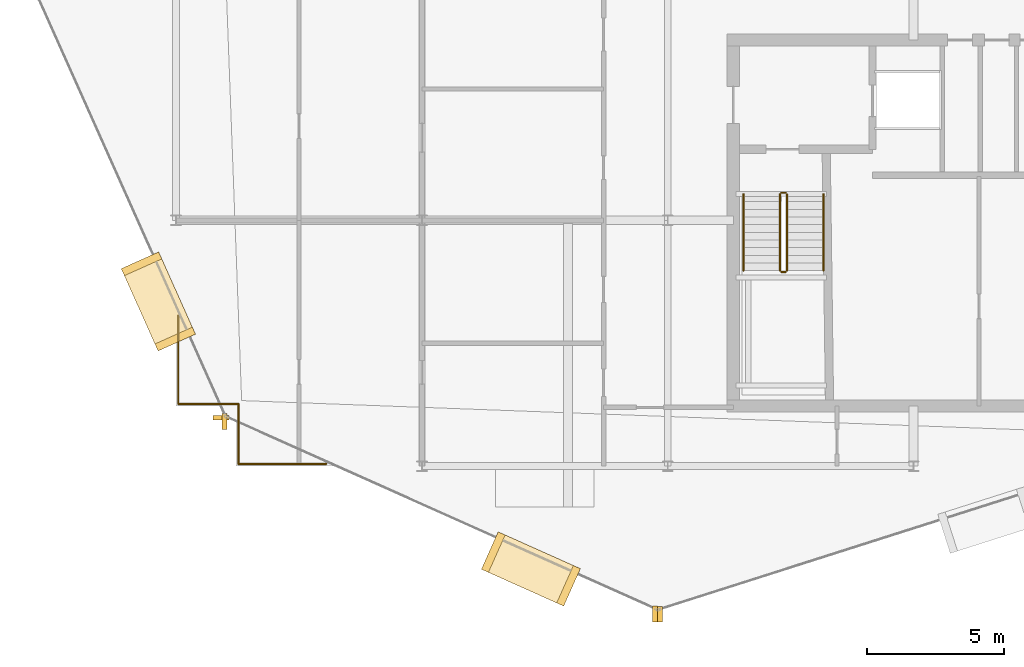
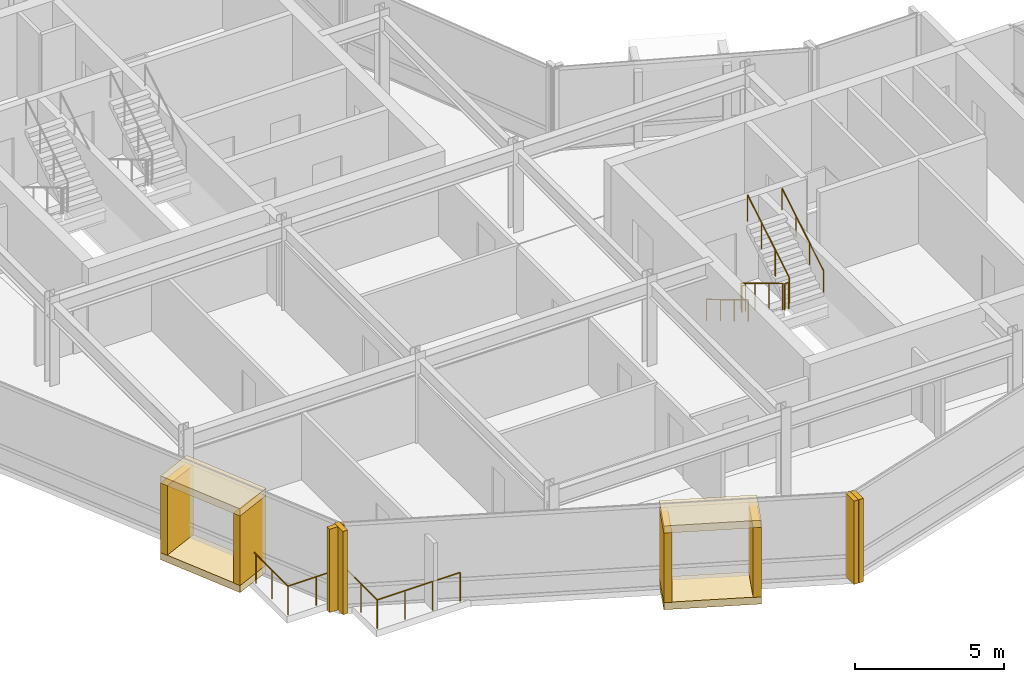
# One storey, part 16 of 19: 12 coverings, 10 railings.
"""IFC4 building model written with IfcOpenShell, lengths in metres."""

from ifc_helpers import new_model, si_unit, direction, frame, origin, origin_2d, place, context, subcontext, project, spatial, rectangle, circle, extrude, material, layer, layer_set, type_object, element, save


model = new_model("IFC4")

# Units and contexts
model_context = context("Model", 3, precision=1e-05, world=origin(), true_north=direction((0.0, 1.0)))
body_context = subcontext(model_context, "Body", "Model", "MODEL_VIEW")
ifc_project = project(units=[si_unit("LENGTHUNIT", "METRE"), si_unit("AREAUNIT", "SQUARE_METRE"), si_unit("VOLUMEUNIT", "CUBIC_METRE"), si_unit("PLANEANGLEUNIT", "RADIAN"), si_unit("MASSUNIT", "GRAM", prefix="KILO")], contexts=[model_context])

# Site, building, storey
site_placement = place(None, origin())
site = spatial("IfcSite", under=ifc_project, at=site_placement, CompositionType="ELEMENT")
building_placement = place(site_placement, origin())
building = spatial("IfcBuilding", under=site, at=building_placement, Name="Solvaryn Broadcast Tower", CompositionType="ELEMENT")
storey_placement = place(building_placement, frame((0.0, 0.0, 290.0)))
storey = spatial("IfcBuildingStorey", under=building, at=storey_placement, Name="L73", CompositionType="ELEMENT", Elevation=290.0)

# Coverings
ifc_material_1 = material(Name="Glazed Architectural Terracotta Rainscreen Cladding", Category="masonry")
ifc_layer_1 = layer(ifc_material_1, 0.280029296875)
ifc_layer_set_1 = layer_set([ifc_layer_1], Name="CV-TC-CLAD")
covering_type_1 = type_object("IfcCoveringType", Name="CV-TC-CLAD", PredefinedType="CLADDING", material=ifc_layer_set_1)
for number, where, z_axis, x_axis, name in (
    (1, (8.35107421875, 15.030029296875, 3.1298828125), (0.0, 0.0, 1.0), (0.408489773781, -0.91276289622, 0.0), "L73 Projecting Stone Window Box Hood 2"),
    (2, (8.35107421875, 15.030029296875, -0.01025390625), (0.0, 0.0, 1.0), (0.408489773781, -0.91276289622, 0.0), "L73 Projecting Stone Window Box Sill 2"),
):
    element("IfcCovering", number, at=place(storey_placement, frame(where, z_axis=z_axis, x_axis=x_axis)), inside=storey, type_object=covering_type_1, Name=name, PredefinedType="CLADDING", context=body_context, shape_type="SweptSolid", body=[
        extrude(rectangle(XDim=3.300048828125, YDim=1.5, at=origin_2d()), origin(), (0.0, 0.0, 1.0), 0.300048828125),
    ])
for number, where, z_axis, x_axis, name in (
    (3, (7.734130859375, 16.408203125, 0.27978515625), (0.0, 0.0, 1.0), (0.408489773781, -0.91276289622, 0.0), "L73 Projecting Stone Window Box Cheek 2-1"),
    (4, (8.9677734375, 13.651611328125, 0.27978515625), (0.0, 0.0, 1.0), (0.408489773781, -0.91276289622, 0.0), "L73 Projecting Stone Window Box Cheek 2-2"),
):
    element("IfcCovering", number, at=place(storey_placement, frame(where, z_axis=z_axis, x_axis=x_axis)), inside=storey, type_object=covering_type_1, Name=name, PredefinedType="CLADDING", context=body_context, shape_type="SweptSolid", body=[
        extrude(rectangle(XDim=0.280029296875, YDim=1.5, at=origin_2d()), origin(), (0.0, 0.0, 1.0), 2.860107421875),
    ])
for number, where, z_axis, x_axis, name in (
    (5, (21.989990234375, 5.236083984375, 3.1298828125), (0.0, 0.0, 1.0), (0.91276289622, -0.408489773781, 0.0), "L73 Projecting Stone Window Box Hood 3"),
    (6, (21.989990234375, 5.236083984375, -0.01025390625), (0.0, 0.0, 1.0), (0.91276289622, -0.408489773781, 0.0), "L73 Projecting Stone Window Box Sill 3"),
):
    element("IfcCovering", number, at=place(storey_placement, frame(where, z_axis=z_axis, x_axis=x_axis)), inside=storey, type_object=covering_type_1, Name=name, PredefinedType="CLADDING", context=body_context, shape_type="SweptSolid", body=[
        extrude(rectangle(XDim=3.300048828125, YDim=1.5, at=origin_2d()), origin(), (0.0, 0.0, 1.0), 0.300048828125),
    ])
for number, where, z_axis, x_axis, name in (
    (7, (20.61181640625, 5.852783203125, 0.27978515625), (0.0, 0.0, 1.0), (0.91276289622, -0.408489773781, 0.0), "L73 Projecting Stone Window Box Cheek 3-1"),
    (8, (23.368408203125, 4.619140625, 0.27978515625), (0.0, 0.0, 1.0), (0.91276289622, -0.408489773781, 0.0), "L73 Projecting Stone Window Box Cheek 3-2"),
):
    element("IfcCovering", number, at=place(storey_placement, frame(where, z_axis=z_axis, x_axis=x_axis)), inside=storey, type_object=covering_type_1, Name=name, PredefinedType="CLADDING", context=body_context, shape_type="SweptSolid", body=[
        extrude(rectangle(XDim=0.280029296875, YDim=1.5, at=origin_2d()), origin(), (0.0, 0.0, 1.0), 2.860107421875),
    ])
ifc_material_2 = material(Name="Extruded Architectural Terracotta Fin", Category="masonry")
ifc_layer_2 = layer(ifc_material_2, 0.179931640625)
ifc_layer_set_2 = layer_set([ifc_layer_2], Name="CV-TC-FIN")
covering_type_2 = type_object("IfcCoveringType", Name="CV-TC-FIN", PredefinedType="USERDEFINED", material=ifc_layer_set_2)
covering_placement = place(storey_placement, frame((10.640380859375, 10.77099609375, 0.0), z_axis=(0.0, 0.0, 1.0), x_axis=(1.0, 0.0, 0.0)))
element("IfcCovering", 9, at=covering_placement, inside=storey, type_object=covering_type_2, Name="L73 Terracotta Vertical Fin FIN-L73-DR2-M01", ObjectType="FIN", PredefinedType="USERDEFINED", context=body_context, shape_type="SweptSolid", body=[
    extrude(rectangle(XDim=0.580078125, YDim=0.179931640625, at=origin_2d()), origin(), (0.0, 0.0, 1.0), 3.419921875),
])
for number, where, z_axis, x_axis, name in (
    (10, (10.77099609375, 10.640380859375, 0.0), (0.0, 0.0, 1.0), (1.0, 0.0, 0.0), "L73 Terracotta Vertical Fin FIN-L73-DR3-M00"),
    (11, (26.53515625, 3.5859375, 0.0), (0.0, 0.0, 1.0), (1.0, 0.0, 0.0), "L73 Terracotta Vertical Fin FIN-L73-DR3-M01"),
    (12, (26.71923828125, 3.575439453125, 0.0), (0.0, 0.0, 1.0), (1.0, 0.0, 0.0), "L73 Terracotta Vertical Fin FIN-L73-DR4-M00"),
):
    element("IfcCovering", number, at=place(storey_placement, frame(where, z_axis=z_axis, x_axis=x_axis)), inside=storey, type_object=covering_type_2, Name=name, ObjectType="FIN", PredefinedType="USERDEFINED", context=body_context, shape_type="SweptSolid", body=[
        extrude(rectangle(XDim=0.179931640625, YDim=0.580078125, at=origin_2d()), origin(), (0.0, 0.0, 1.0), 3.419921875),
    ])

# Railings
ifc_material_3 = material(Name="Stainless Steel and Laminated Glass Guard", Category="steel")
railing_type_1 = type_object("IfcRailingType", Name="RL-SKYG-1200", PredefinedType="BALUSTRADE", material=ifc_material_3)
railing_1_placement = place(storey_placement, frame((9.080078125, 14.5, 0.0)))
element("IfcRailing", 13, at=railing_1_placement, inside=storey, type_object=railing_type_1, Name="L73 Upper SW Corner Balustrade 1", PredefinedType="BALUSTRADE", context=body_context, shape_type="SweptSolid", body=[
    extrude(circle(Radius=0.02392578125, at=origin_2d()), frame((0.0, 0.0, 1.17578125), z_axis=(0.0, -1.0, 0.0), x_axis=(1.0, 0.0, 0.0)), (0.0, 0.0, 1.0), 3.219970703125),
    extrude(circle(Radius=0.02099609375, at=origin_2d()), origin(), (0.0, 0.0, 1.0), 1.15185546875),
    extrude(circle(Radius=0.02099609375, at=origin_2d()), frame((0.0, -1.0732421875, 0.0)), (0.0, 0.0, 1.0), 1.15185546875),
    extrude(circle(Radius=0.02099609375, at=origin_2d()), frame((0.0, -2.146728515625, 0.0)), (0.0, 0.0, 1.0), 1.15185546875),
    extrude(circle(Radius=0.02099609375, at=origin_2d()), frame((0.0, -3.219970703125, 0.0)), (0.0, 0.0, 1.0), 1.15185546875),
])
railing_2_placement = place(storey_placement, frame((9.080078125, 11.280029296875, 0.0)))
element("IfcRailing", 14, at=railing_2_placement, inside=storey, type_object=railing_type_1, Name="L73 Upper SW Corner Balustrade 2", PredefinedType="BALUSTRADE", context=body_context, shape_type="SweptSolid", body=[
    extrude(circle(Radius=0.02392578125, at=origin_2d()), frame((0.0, 0.0, 1.17578125), z_axis=(1.0, 0.0, 0.0), x_axis=(0.0, 1.0, 0.0)), (0.0, 0.0, 1.0), 2.199951171875),
    extrude(circle(Radius=0.02099609375, at=origin_2d()), origin(), (0.0, 0.0, 1.0), 1.15185546875),
    extrude(circle(Radius=0.02099609375, at=origin_2d()), frame((1.10009765625, 0.0, 0.0)), (0.0, 0.0, 1.0), 1.15185546875),
    extrude(circle(Radius=0.02099609375, at=origin_2d()), frame((2.199951171875, 0.0, 0.0)), (0.0, 0.0, 1.0), 1.15185546875),
])
railing_3_placement = place(storey_placement, frame((11.280029296875, 11.280029296875, 0.0)))
element("IfcRailing", 15, at=railing_3_placement, inside=storey, type_object=railing_type_1, Name="L73 Upper SW Corner Balustrade 3", PredefinedType="BALUSTRADE", context=body_context, shape_type="SweptSolid", body=[
    extrude(circle(Radius=0.02392578125, at=origin_2d()), frame((0.0, 0.0, 1.17578125), z_axis=(0.0, -1.0, 0.0), x_axis=(1.0, 0.0, 0.0)), (0.0, 0.0, 1.0), 2.199951171875),
    extrude(circle(Radius=0.02099609375, at=origin_2d()), origin(), (0.0, 0.0, 1.0), 1.15185546875),
    extrude(circle(Radius=0.02099609375, at=origin_2d()), frame((0.0, -1.10009765625, 0.0)), (0.0, 0.0, 1.0), 1.15185546875),
    extrude(circle(Radius=0.02099609375, at=origin_2d()), frame((0.0, -2.199951171875, 0.0)), (0.0, 0.0, 1.0), 1.15185546875),
])
railing_4_placement = place(storey_placement, frame((11.280029296875, 9.080078125, 0.0)))
element("IfcRailing", 16, at=railing_4_placement, inside=storey, type_object=railing_type_1, Name="L73 Upper SW Corner Balustrade 4", PredefinedType="BALUSTRADE", context=body_context, shape_type="SweptSolid", body=[
    extrude(circle(Radius=0.02392578125, at=origin_2d()), frame((0.0, 0.0, 1.17578125), z_axis=(1.0, 0.0, 0.0), x_axis=(0.0, 1.0, 0.0)), (0.0, 0.0, 1.0), 3.219970703125),
    extrude(circle(Radius=0.02099609375, at=origin_2d()), origin(), (0.0, 0.0, 1.0), 1.15185546875),
    extrude(circle(Radius=0.02099609375, at=origin_2d()), frame((1.0732421875, 0.0, 0.0)), (0.0, 0.0, 1.0), 1.15185546875),
    extrude(circle(Radius=0.02099609375, at=origin_2d()), frame((2.146728515625, 0.0, 0.0)), (0.0, 0.0, 1.0), 1.15185546875),
    extrude(circle(Radius=0.02099609375, at=origin_2d()), frame((3.219970703125, 0.0, 0.0)), (0.0, 0.0, 1.0), 1.15185546875),
])
ifc_material_4 = material(Name="Painted Steel Stair Well Guard", Category="steel")
railing_type_2 = type_object("IfcRailingType", Name="RL-STAIR-GUARD", PredefinedType="BALUSTRADE", material=ifc_material_4)
railing_5_placement = place(storey_placement, frame((31.110107421875, 18.9599609375, 0.168212890625)))
element("IfcRailing", 17, at=railing_5_placement, inside=storey, type_object=railing_type_2, Name="L73 ST3 stair guard 1", PredefinedType="BALUSTRADE", context=body_context, shape_type="SweptSolid", body=[
    extrude(circle(Radius=0.02392578125, at=origin_2d()), frame((0.0, 0.0, 1.076171875), z_axis=(0.0, -0.857242210791, 0.514913383045), x_axis=(1.0, 0.0, 0.0)), (0.0, 0.0, 1.0), 3.266357421875),
    extrude(circle(Radius=0.02099609375, at=origin_2d()), origin(), (0.0, 0.0, 1.0), 1.052001953125),
    extrude(circle(Radius=0.02099609375, at=origin_2d()), frame((0.0, -0.933349609375, 0.560546875)), (0.0, 0.0, 1.0), 1.052001953125),
    extrude(circle(Radius=0.02099609375, at=origin_2d()), frame((0.0, -1.86669921875, 1.121337890625)), (0.0, 0.0, 1.0), 1.052001953125),
    extrude(circle(Radius=0.02099609375, at=origin_2d()), frame((0.0, -2.800048828125, 1.681884765625)), (0.0, 0.0, 1.0), 1.052001953125),
])
railing_6_placement = place(storey_placement, frame((31.159912109375, 16.110107421875, 1.85009765625)))
element("IfcRailing", 18, at=railing_6_placement, inside=storey, type_object=railing_type_2, Name="L73 ST3 stair guard 2", PredefinedType="BALUSTRADE", context=body_context, shape_type="SweptSolid", body=[
    extrude(circle(Radius=0.02392578125, at=origin_2d()), frame((0.0, 0.0, 1.076171875), z_axis=(1.0, 0.0, 0.0), x_axis=(0.0, 1.0, 0.0)), (0.0, 0.0, 1.0), 0.150146484375),
    extrude(circle(Radius=0.02099609375, at=origin_2d()), origin(), (0.0, 0.0, 1.0), 1.052001953125),
    extrude(circle(Radius=0.02099609375, at=origin_2d()), frame((0.150146484375, 0.0, 0.0)), (0.0, 0.0, 1.0), 1.052001953125),
])
railing_7_placement = place(storey_placement, frame((31.360107421875, 16.159912109375, 2.01806640625)))
element("IfcRailing", 19, at=railing_7_placement, inside=storey, type_object=railing_type_2, Name="L73 ST3 stair guard 3", PredefinedType="BALUSTRADE", context=body_context, shape_type="SweptSolid", body=[
    extrude(circle(Radius=0.02392578125, at=origin_2d()), frame((0.0, 0.0, 1.076171875), z_axis=(0.0, 0.857242210791, 0.514913383045), x_axis=(-1.0, 0.0, 0.0)), (0.0, 0.0, 1.0), 3.266357421875),
    extrude(circle(Radius=0.02099609375, at=origin_2d()), origin(), (0.0, 0.0, 1.0), 1.052001953125),
    extrude(circle(Radius=0.02099609375, at=origin_2d()), frame((0.0, 0.933349609375, 0.560546875)), (0.0, 0.0, 1.0), 1.052001953125),
    extrude(circle(Radius=0.02099609375, at=origin_2d()), frame((0.0, 1.86669921875, 1.121337890625)), (0.0, 0.0, 1.0), 1.052001953125),
    extrude(circle(Radius=0.02099609375, at=origin_2d()), frame((0.0, 2.800048828125, 1.681884765625)), (0.0, 0.0, 1.0), 1.052001953125),
])
railing_8_placement = place(storey_placement, frame((31.159912109375, 19.010009765625, 0.0)))
element("IfcRailing", 20, at=railing_8_placement, inside=storey, type_object=railing_type_2, Name="L73 ST3 stair guard 4", PredefinedType="BALUSTRADE", context=body_context, shape_type="SweptSolid", body=[
    extrude(circle(Radius=0.02392578125, at=origin_2d()), frame((0.0, 0.0, 1.076171875), z_axis=(1.0, 0.0, 0.0), x_axis=(0.0, 1.0, 0.0)), (0.0, 0.0, 1.0), 0.150146484375),
    extrude(circle(Radius=0.02099609375, at=origin_2d()), origin(), (0.0, 0.0, 1.0), 1.052001953125),
    extrude(circle(Radius=0.02099609375, at=origin_2d()), frame((0.150146484375, 0.0, 0.0)), (0.0, 0.0, 1.0), 1.052001953125),
])
ifc_material_5 = material(Name="Brushed Stainless Steel Tubular Handrail", Category="steel")
railing_type_3 = type_object("IfcRailingType", Name="RL-STAIR-HANDRAIL", PredefinedType="HANDRAIL", material=ifc_material_5)
railing_9_placement = place(storey_placement, frame((29.77001953125, 18.9599609375, 0.168212890625)))
element("IfcRailing", 21, at=railing_9_placement, inside=storey, type_object=railing_type_3, Name="L73 ST3 stair handrail 1", PredefinedType="HANDRAIL", context=body_context, shape_type="SweptSolid", body=[
    extrude(circle(Radius=0.02392578125, at=origin_2d()), frame((0.0, 0.0, 0.8759765625), z_axis=(0.0, -0.857242210791, 0.514913383045), x_axis=(1.0, 0.0, 0.0)), (0.0, 0.0, 1.0), 3.266357421875),
    extrude(circle(Radius=0.02099609375, at=origin_2d()), origin(), (0.0, 0.0, 1.0), 0.851806640625),
    extrude(circle(Radius=0.02099609375, at=origin_2d()), frame((0.0, -0.933349609375, 0.560546875)), (0.0, 0.0, 1.0), 0.851806640625),
    extrude(circle(Radius=0.02099609375, at=origin_2d()), frame((0.0, -1.86669921875, 1.121337890625)), (0.0, 0.0, 1.0), 0.851806640625),
    extrude(circle(Radius=0.02099609375, at=origin_2d()), frame((0.0, -2.800048828125, 1.681884765625)), (0.0, 0.0, 1.0), 0.851806640625),
])
railing_10_placement = place(storey_placement, frame((32.699951171875, 16.159912109375, 2.01806640625)))
element("IfcRailing", 22, at=railing_10_placement, inside=storey, type_object=railing_type_3, Name="L73 ST3 stair handrail 2", PredefinedType="HANDRAIL", context=body_context, shape_type="SweptSolid", body=[
    extrude(circle(Radius=0.02392578125, at=origin_2d()), frame((0.0, 0.0, 0.8759765625), z_axis=(0.0, 0.857242210791, 0.514913383045), x_axis=(-1.0, 0.0, 0.0)), (0.0, 0.0, 1.0), 3.266357421875),
    extrude(circle(Radius=0.02099609375, at=origin_2d()), origin(), (0.0, 0.0, 1.0), 0.851806640625),
    extrude(circle(Radius=0.02099609375, at=origin_2d()), frame((0.0, 0.933349609375, 0.560546875)), (0.0, 0.0, 1.0), 0.851806640625),
    extrude(circle(Radius=0.02099609375, at=origin_2d()), frame((0.0, 1.86669921875, 1.121337890625)), (0.0, 0.0, 1.0), 0.851806640625),
    extrude(circle(Radius=0.02099609375, at=origin_2d()), frame((0.0, 2.800048828125, 1.681884765625)), (0.0, 0.0, 1.0), 0.851806640625),
])

save(model, "model.ifc")
